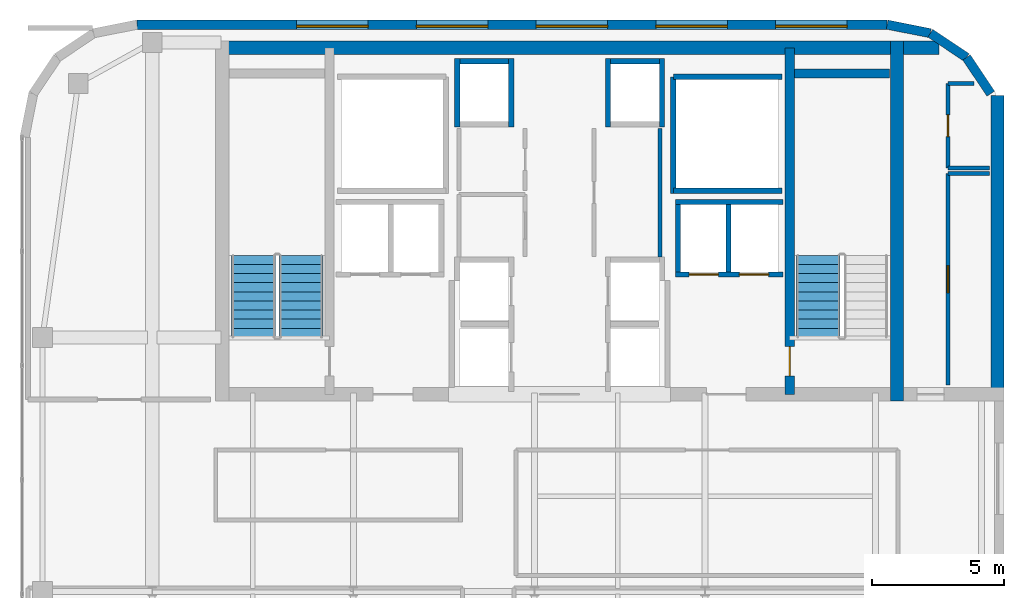
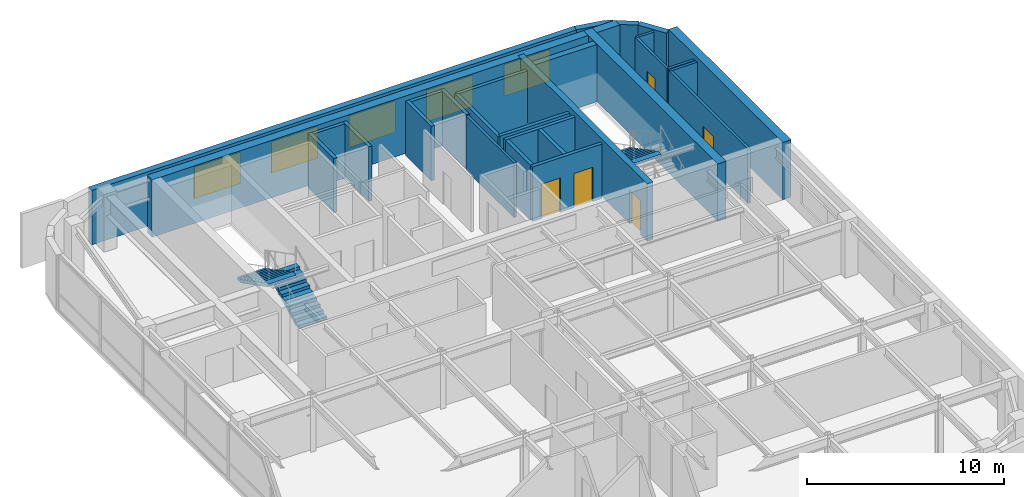
# One storey, part 17 of 19: 29 walls, 5 doors, 5 windows, 3 stair flights, 10 openings, 2 elements without a shape of their own.
"""IFC4 building model written with IfcOpenShell, lengths in metres."""

from ifc_helpers import new_model, si_unit, direction, frame, frame_2d, origin, place, context, subcontext, project, spatial, polyline, rectangle, outline, extrude, source, transform, mapped, material, layer, layer_set, type_object, type_shapes, element, fill, aggregate, save


model = new_model("IFC4")

# Units and contexts
model_context = context("Model", 3, precision=1e-05, world=origin(), true_north=direction((0.0, 1.0)))
body_context = subcontext(model_context, "Body", "Model", "MODEL_VIEW")
ifc_project = project(units=[si_unit("LENGTHUNIT", "METRE"), si_unit("AREAUNIT", "SQUARE_METRE"), si_unit("VOLUMEUNIT", "CUBIC_METRE"), si_unit("PLANEANGLEUNIT", "RADIAN"), si_unit("MASSUNIT", "GRAM", prefix="KILO")], contexts=[model_context])

# Site, building, storey
site_placement = place(None, origin())
site = spatial("IfcSite", under=ifc_project, at=site_placement, CompositionType="ELEMENT")
building_placement = place(site_placement, origin())
building = spatial("IfcBuilding", under=site, at=building_placement, Name="Tolvann Quenvar Hotel", CompositionType="ELEMENT")
storey_placement = place(building_placement, frame((0.0, 0.0, 223.89990234375)))
storey = spatial("IfcBuildingStorey", under=building, at=storey_placement, Name="L59", CompositionType="ELEMENT", Elevation=223.89990234375)

# Walls
ifc_material_1 = material(Name="Concrete N50 (50 MPa)", Category="concrete")
ifc_layer_1 = layer(ifc_material_1, 0.5)
ifc_layer_set_1 = layer_set([ifc_layer_1], Name="Concrete N50 (50 MPa)")
wall_type_1 = type_object("IfcWallType", Name="WALL_CORE_500", PredefinedType="SHEAR", material=ifc_layer_set_1)
wall_1_placement = place(storey_placement, frame((10.0, 44.949951171875, 0.0), z_axis=(0.0, 0.0, 1.0), x_axis=(1.0, 0.0, 0.0)))
element("IfcWall", 1, at=wall_1_placement, inside=storey, type_object=wall_type_1, Name="Rear Core N Shear Wall (L59)", PredefinedType="SHEAR", context=body_context, shape_type="SweptSolid", body=[
    extrude(rectangle(XDim=26.0, YDim=0.5, at=frame_2d((13.0, 0.0))), origin(), (0.0, 0.0, 1.0), 3.550048828125),
])
wall_2_placement = place(storey_placement, frame((35.75, 31.60009765625, 0.0), z_axis=(0.0, 0.0, 1.0), x_axis=(0.0, 1.0, 0.0)))
element("IfcWall", 2, at=wall_2_placement, inside=storey, type_object=wall_type_1, Name="Rear Core E Shear Wall (L59)", PredefinedType="SHEAR", context=body_context, shape_type="SweptSolid", body=[
    extrude(rectangle(XDim=13.599853515625, YDim=0.5, at=frame_2d((6.7998046875, 0.0))), origin(), (0.0, 0.0, 1.0), 3.550048828125),
])
wall_3_placement = place(storey_placement, frame((36.0, 44.949951171875, 0.0), z_axis=(0.0, 0.0, 1.0), x_axis=(1.0, 0.0, 0.0)))
element("IfcWall", 3, at=wall_3_placement, inside=storey, type_object=wall_type_1, Name="Core East Annex Shear Wall ANN-N (L59)", PredefinedType="SHEAR", context=body_context, shape_type="SweptSolid", body=[
    extrude(rectangle(XDim=1.35009765625, YDim=0.5, at=frame_2d((0.675048828125, 0.0))), origin(), (0.0, 0.0, 1.0), 3.550048828125),
])
wall_4_placement = place(storey_placement, frame((39.550048828125, 31.60009765625, 0.0), z_axis=(0.0, 0.0, 1.0), x_axis=(0.0, 1.0, 0.0)))
element("IfcWall", 4, at=wall_4_placement, inside=storey, type_object=wall_type_1, Name="Core East Annex Shear Wall ANN-E (L59)", PredefinedType="SHEAR", context=body_context, shape_type="SweptSolid", body=[
    extrude(rectangle(XDim=11.5498046875, YDim=0.5, at=frame_2d((5.77490234375, 0.0))), origin(), (0.0, 0.0, 1.0), 3.550048828125),
])

# Wall, opening, door
ifc_material_2 = material(Name="Concrete S65 (65 MPa)", Category="concrete")
ifc_layer_2 = layer(ifc_material_2, 0.35009765625)
ifc_layer_set_2 = layer_set([ifc_layer_2], Name="Concrete S65 (65 MPa)")
wall_type_2 = type_object("IfcWallType", Name="WALL_CORE_INT_350", PredefinedType="SHEAR", material=ifc_layer_set_2)
wall_5_placement = place(storey_placement, frame((31.699951171875, 31.85009765625, 0.0), z_axis=(0.0, 0.0, 1.0), x_axis=(0.0, 1.0, 0.0)))
wall_5 = element("IfcWall", 5, at=wall_5_placement, inside=storey, type_object=wall_type_2, Name="Core Internal Web Shear Wall WEB-E (L59)", PredefinedType="SHEAR", context=body_context, shape_type="SweptSolid", body=[
    extrude(rectangle(XDim=13.099853515625, YDim=0.35009765625, at=frame_2d((6.5498046875, 0.0))), origin(), (0.0, 0.0, 1.0), 3.550048828125),
])
opening_1_placement = place(wall_5_placement, frame((1.800048828125, 0.0, 0.0), z_axis=(0.0, 0.0, 1.0), x_axis=(-1.0, 0.0, 0.0)))
opening_1 = element("IfcOpeningElement", 6, at=opening_1_placement, cuts=wall_5, Name="Opening FD-120", PredefinedType="OPENING", context=body_context, shape_type="SweptSolid", body=[
    extrude(rectangle(XDim=1.10009765625, YDim=2.1201171875, at=frame_2d((0.550048828125, 1.06005859375))), frame((0.0, 0.18505859375, 0.0), z_axis=(0.0, -1.0, 0.0), x_axis=(1.0, 0.0, 0.0)), (0.0, 0.0, 1.0), 0.3701171875),
])
ifc_material_3 = material(Name="Pressed galvanised steel fire-rated door set", Category="steel")
door_type_1 = type_object("IfcDoorType", Name="DOOR_FIRE_STAIR_1100", OperationType="NOTDEFINED", PredefinedType="DOOR", material=ifc_material_3)
shared_shape_1 = source(origin(), body_context, "Body", "SweptSolid", [
    extrude(rectangle(XDim=1.10009765625, YDim=2.1201171875, at=frame_2d((0.550048828125, 1.06005859375))), frame((0.0, 0.02490234375, 0.0), z_axis=(0.0, -1.0, 0.0), x_axis=(1.0, 0.0, 0.0)), (0.0, 0.0, 1.0), 0.050048828125),
])
type_shapes(door_type_1, [shared_shape_1])
door_1_placement = place(opening_1_placement, origin())
door_1 = element("IfcDoor", 7, at=door_1_placement, inside=storey, type_object=door_type_1, Name="Exit Stair ST-C2 Fire Door (L59)", OperationType="SINGLE_SWING_LEFT", OverallHeight=2.1201171875, OverallWidth=1.10009765625, PredefinedType="DOOR", context=body_context, shape_type="MappedRepresentation", body=[
    mapped(shared_shape_1, transform((0.0, 0.0, 0.0), x_axis=(1.0, 0.0, 0.0), y_axis=(0.0, 1.0, 0.0), z_axis=(0.0, 0.0, 1.0), scale=1.0)),
])
fill(opening_1, door_1)

# Walls
wall_6_placement = place(storey_placement, frame((31.8798828125, 43.97509765625, 0.0), z_axis=(0.0, 0.0, 1.0), x_axis=(1.0, 0.0, 0.0)))
element("IfcWall", 8, at=wall_6_placement, inside=storey, type_object=wall_type_2, Name="Core Stair North Closing Shear Wall STC2-N (L59)", PredefinedType="SHEAR", context=body_context, shape_type="SweptSolid", body=[
    extrude(rectangle(XDim=3.60009765625, YDim=0.35009765625, at=frame_2d((1.800048828125, 0.0))), origin(), (0.0, 0.0, 1.0), 3.550048828125),
])
ifc_material_4 = material(Name="Kiln-fired red and buff architectural clay brickwork and terracotta masonry", Category="masonry")
ifc_layer_3 = layer(ifc_material_4, 0.35009765625)
ifc_layer_set_3 = layer_set([ifc_layer_3], Name="Kiln-fired red and buff architectural clay brickwork and terracotta masonry")
wall_type_3 = type_object("IfcWallType", Name="WALL_EXT_BRICK_350", PredefinedType="SOLIDWALL", material=ifc_layer_set_3)
for number, where, z_axis, x_axis, name in (
    (9, (39.30029296875, 43.215576171875, 0.0), (0.0, 0.0, 1.0), (-0.555623290322, 0.831434158098, 0.0), "Exterior Chicago Brick Wall L59-E11"),
    (10, (38.385009765625, 44.585205078125, 0.0), (0.0, 0.0, 1.0), (-0.831502623162, 0.555520825599, 0.0), "Exterior Chicago Brick Wall L59-E12"),
):
    element("IfcWall", number, at=place(storey_placement, frame(where, z_axis=z_axis, x_axis=x_axis)), inside=storey, type_object=wall_type_3, Name=name, PredefinedType="SOLIDWALL", context=body_context, shape_type="SweptSolid", body=[
        extrude(rectangle(XDim=1.647216796875, YDim=0.35009765625, at=frame_2d((0.82373046875, 0.0))), origin(), (0.0, 0.0, 1.0), 3.3701171875),
    ])
wall_7_placement = place(storey_placement, frame((37.015380859375, 45.500244140625, 0.0), z_axis=(0.0, 0.0, 1.0), x_axis=(-0.980788844421, 0.195072403631, 0.0)))
element("IfcWall", 11, at=wall_7_placement, inside=storey, type_object=wall_type_3, Name="Exterior Chicago Brick Wall L59-E13", PredefinedType="SOLIDWALL", context=body_context, shape_type="SweptSolid", body=[
    extrude(rectangle(XDim=1.66455078125, YDim=0.35009765625, at=frame_2d((0.832275390625, 0.0))), origin(), (0.0, 0.0, 1.0), 3.3701171875),
])

# Wall, openings, windows
wall_8_placement = place(storey_placement, frame((35.3828125, 45.824951171875, 0.0), z_axis=(0.0, 0.0, 1.0), x_axis=(-1.0, 0.0, 0.0)))
wall_8 = element("IfcWall", 12, at=wall_8_placement, inside=storey, type_object=wall_type_3, Name="Exterior Chicago Brick Wall L59-E14", PredefinedType="SOLIDWALL", context=body_context, shape_type="SweptSolid", body=[
    extrude(rectangle(XDim=28.36572265625, YDim=0.35009765625, at=frame_2d((14.182861328125, 0.0))), origin(), (0.0, 0.0, 1.0), 3.3701171875),
])
opening_2_placement = place(wall_8_placement, frame((1.513916015625, 0.0, 0.679931640625)))
opening_2 = element("IfcOpeningElement", 13, at=opening_2_placement, cuts=wall_8, Name="Opening W-04", PredefinedType="OPENING", context=body_context, shape_type="SweptSolid", body=[
    extrude(rectangle(XDim=2.699951171875, YDim=1.949951171875, at=frame_2d((1.35009765625, 0.97509765625))), frame((0.0, 0.18505859375, 0.0), z_axis=(0.0, -1.0, 0.0), x_axis=(1.0, 0.0, 0.0)), (0.0, 0.0, 1.0), 0.3701171875),
])
opening_3_placement = place(wall_8_placement, frame((6.041015625, 0.0, 0.679931640625)))
opening_3 = element("IfcOpeningElement", 14, at=opening_3_placement, cuts=wall_8, Name="Opening W-04", PredefinedType="OPENING", context=body_context, shape_type="SweptSolid", body=[
    extrude(rectangle(XDim=2.699951171875, YDim=1.949951171875, at=frame_2d((1.35009765625, 0.97509765625))), frame((0.0, 0.18505859375, 0.0), z_axis=(0.0, -1.0, 0.0), x_axis=(1.0, 0.0, 0.0)), (0.0, 0.0, 1.0), 0.3701171875),
])
opening_4_placement = place(wall_8_placement, frame((10.569091796875, 0.0, 0.679931640625)))
opening_4 = element("IfcOpeningElement", 15, at=opening_4_placement, cuts=wall_8, Name="Opening W-04", PredefinedType="OPENING", context=body_context, shape_type="SweptSolid", body=[
    extrude(rectangle(XDim=2.699951171875, YDim=1.949951171875, at=frame_2d((1.35009765625, 0.97509765625))), frame((0.0, 0.18505859375, 0.0), z_axis=(0.0, -1.0, 0.0), x_axis=(1.0, 0.0, 0.0)), (0.0, 0.0, 1.0), 0.3701171875),
])
opening_5_placement = place(wall_8_placement, frame((15.096923828125, 0.0, 0.679931640625)))
opening_5 = element("IfcOpeningElement", 16, at=opening_5_placement, cuts=wall_8, Name="Opening W-04", PredefinedType="OPENING", context=body_context, shape_type="SweptSolid", body=[
    extrude(rectangle(XDim=2.699951171875, YDim=1.949951171875, at=frame_2d((1.35009765625, 0.97509765625))), frame((0.0, 0.18505859375, 0.0), z_axis=(0.0, -1.0, 0.0), x_axis=(1.0, 0.0, 0.0)), (0.0, 0.0, 1.0), 0.3701171875),
])
opening_6_placement = place(wall_8_placement, frame((19.6240234375, 0.0, 0.679931640625)))
opening_6 = element("IfcOpeningElement", 17, at=opening_6_placement, cuts=wall_8, Name="Opening W-04", PredefinedType="OPENING", context=body_context, shape_type="SweptSolid", body=[
    extrude(rectangle(XDim=2.699951171875, YDim=1.949951171875, at=frame_2d((1.35009765625, 0.97509765625))), frame((0.0, 0.18505859375, 0.0), z_axis=(0.0, -1.0, 0.0), x_axis=(1.0, 0.0, 0.0)), (0.0, 0.0, 1.0), 0.3701171875),
])
ifc_material_5 = material(Name="Thermally broken bronze-anodised aluminium frame with double low-E glazing", Category="aluminium")
window_type = type_object("IfcWindowType", Name="WIN_STE_2700x2150", PartitioningType="TRIPLE_PANEL_HORIZONTAL", PredefinedType="WINDOW", material=ifc_material_5)
shared_shape_2 = source(origin(), body_context, "Body", "SweptSolid", [
    extrude(rectangle(XDim=2.699951171875, YDim=1.949951171875, at=frame_2d((1.35009765625, 0.97509765625))), frame((0.0, 0.090087890625, 0.0), z_axis=(0.0, -1.0, 0.0), x_axis=(1.0, 0.0, 0.0)), (0.0, 0.0, 1.0), 0.06005859375),
])
type_shapes(window_type, [shared_shape_2])
window_1_placement = place(opening_2_placement, origin())
window_1 = element("IfcWindow", 18, at=window_1_placement, inside=storey, type_object=window_type, Name="Chicago Window W-04 (EW-L59-E14-W01)", OverallHeight=1.949951171875, OverallWidth=2.699951171875, PartitioningType="TRIPLE_PANEL_HORIZONTAL", PredefinedType="WINDOW", context=body_context, shape_type="MappedRepresentation", body=[
    mapped(shared_shape_2, transform((0.0, 0.0, 0.0), x_axis=(1.0, 0.0, 0.0), y_axis=(0.0, 1.0, 0.0), z_axis=(0.0, 0.0, 1.0), scale=1.0)),
])
fill(opening_2, window_1)
window_2_placement = place(opening_3_placement, origin())
window_2 = element("IfcWindow", 19, at=window_2_placement, inside=storey, type_object=window_type, Name="Chicago Window W-04 (EW-L59-E14-W02)", OverallHeight=1.949951171875, OverallWidth=2.699951171875, PartitioningType="TRIPLE_PANEL_HORIZONTAL", PredefinedType="WINDOW", context=body_context, shape_type="MappedRepresentation", body=[
    mapped(shared_shape_2, transform((0.0, 0.0, 0.0), x_axis=(1.0, 0.0, 0.0), y_axis=(0.0, 1.0, 0.0), z_axis=(0.0, 0.0, 1.0), scale=1.0)),
])
fill(opening_3, window_2)
window_3_placement = place(opening_4_placement, origin())
window_3 = element("IfcWindow", 20, at=window_3_placement, inside=storey, type_object=window_type, Name="Chicago Window W-04 (EW-L59-E14-W03)", OverallHeight=1.949951171875, OverallWidth=2.699951171875, PartitioningType="TRIPLE_PANEL_HORIZONTAL", PredefinedType="WINDOW", context=body_context, shape_type="MappedRepresentation", body=[
    mapped(shared_shape_2, transform((0.0, 0.0, 0.0), x_axis=(1.0, 0.0, 0.0), y_axis=(0.0, 1.0, 0.0), z_axis=(0.0, 0.0, 1.0), scale=1.0)),
])
fill(opening_4, window_3)
window_4_placement = place(opening_5_placement, origin())
window_4 = element("IfcWindow", 21, at=window_4_placement, inside=storey, type_object=window_type, Name="Chicago Window W-04 (EW-L59-E14-W04)", OverallHeight=1.949951171875, OverallWidth=2.699951171875, PartitioningType="TRIPLE_PANEL_HORIZONTAL", PredefinedType="WINDOW", context=body_context, shape_type="MappedRepresentation", body=[
    mapped(shared_shape_2, transform((0.0, 0.0, 0.0), x_axis=(1.0, 0.0, 0.0), y_axis=(0.0, 1.0, 0.0), z_axis=(0.0, 0.0, 1.0), scale=1.0)),
])
fill(opening_5, window_4)
window_5_placement = place(opening_6_placement, origin())
window_5 = element("IfcWindow", 22, at=window_5_placement, inside=storey, type_object=window_type, Name="Chicago Window W-04 (EW-L59-E14-W05)", OverallHeight=1.949951171875, OverallWidth=2.699951171875, PartitioningType="TRIPLE_PANEL_HORIZONTAL", PredefinedType="WINDOW", context=body_context, shape_type="MappedRepresentation", body=[
    mapped(shared_shape_2, transform((0.0, 0.0, 0.0), x_axis=(1.0, 0.0, 0.0), y_axis=(0.0, 1.0, 0.0), z_axis=(0.0, 0.0, 1.0), scale=1.0)),
])
fill(opening_6, window_5)

# Walls
ifc_material_6 = material(Name="Acoustic twin-stud fire-rated gypsum plasterboard partition")
ifc_layer_4 = layer(ifc_material_6, 0.14990234375)
ifc_layer_set_4 = layer_set([ifc_layer_4], Name="Acoustic twin-stud fire-rated gypsum plasterboard partition")
wall_type_4 = type_object("IfcWallType", Name="WALL_PART_SUITE_150", PredefinedType="PARTITIONING", material=ifc_layer_set_4)
wall_9_placement = place(storey_placement, frame((26.800048828125, 37.0400390625, 0.0), z_axis=(0.0, 0.0, 1.0), x_axis=(0.0, 1.0, 0.0)))
element("IfcWall", 23, at=wall_9_placement, inside=storey, type_object=wall_type_4, Name="Interior Partition PT-SPC-L59-RECPM-3-E", PredefinedType="PARTITIONING", context=body_context, shape_type="SweptSolid", body=[
    extrude(rectangle(XDim=4.85986328125, YDim=0.14990234375, at=frame_2d((2.429931640625, 0.0))), origin(), (0.0, 0.0, 1.0), 3.3701171875),
])
wall_10_placement = place(storey_placement, frame((37.679931640625, 40.199951171875, 0.0), z_axis=(0.0, 0.0, 1.0), x_axis=(1.0, 0.0, 0.0)))
element("IfcWall", 24, at=wall_10_placement, inside=storey, type_object=wall_type_4, Name="Interior Partition PT-SPC-L59-RECPL-1-N", PredefinedType="PARTITIONING", context=body_context, shape_type="SweptSolid", body=[
    extrude(rectangle(XDim=1.565185546875, YDim=0.14990234375, at=frame_2d((0.78271484375, 0.0))), origin(), (0.0, 0.0, 1.0), 3.3701171875),
])

# Wall, opening, door
wall_11_placement = place(storey_placement, frame((37.679931640625, 32.199951171875, 0.0), z_axis=(0.0, 0.0, 1.0), x_axis=(0.0, 1.0, 0.0)))
wall_11 = element("IfcWall", 25, at=wall_11_placement, inside=storey, type_object=wall_type_4, Name="Interior Partition PT-SPC-L59-RECPL-1-W", PredefinedType="PARTITIONING", context=body_context, shape_type="SweptSolid", body=[
    extrude(rectangle(XDim=8.0, YDim=0.14990234375, at=frame_2d((4.0, 0.0))), origin(), (0.0, 0.0, 1.0), 3.3701171875),
])
opening_7_placement = place(wall_11_placement, frame((3.489990234375, 0.0, 0.0)))
opening_7 = element("IfcOpeningElement", 26, at=opening_7_placement, cuts=wall_11, Name="Opening HD-01", PredefinedType="OPENING", context=body_context, shape_type="SweptSolid", body=[
    extrude(rectangle(XDim=1.02001953125, YDim=2.030029296875, at=frame_2d((0.510009765625, 1.01513671875))), frame((0.0, 0.0849609375, 0.0), z_axis=(0.0, -1.0, 0.0), x_axis=(1.0, 0.0, 0.0)), (0.0, 0.0, 1.0), 0.169921875),
])
door_type_2 = type_object("IfcDoorType", Name="DOOR_BOH_1020", OperationType="NOTDEFINED", PredefinedType="DOOR", material=ifc_material_3)
shared_shape_3 = source(origin(), body_context, "Body", "SweptSolid", [
    extrude(rectangle(XDim=1.02001953125, YDim=2.030029296875, at=frame_2d((0.510009765625, 1.01513671875))), frame((0.0, 0.02490234375, 0.0), z_axis=(0.0, -1.0, 0.0), x_axis=(1.0, 0.0, 0.0)), (0.0, 0.0, 1.0), 0.050048828125),
])
type_shapes(door_type_2, [shared_shape_3])
door_2_placement = place(opening_7_placement, origin())
door_2 = element("IfcDoor", 27, at=door_2_placement, inside=storey, type_object=door_type_2, Name="Interior Door DOOR-SPC-L59-RECPL-1", OperationType="SINGLE_SWING_LEFT", OverallHeight=2.030029296875, OverallWidth=1.02001953125, PredefinedType="DOOR", context=body_context, shape_type="MappedRepresentation", body=[
    mapped(shared_shape_3, transform((0.0, 0.0, 0.0), x_axis=(1.0, 0.0, 0.0), y_axis=(0.0, 1.0, 0.0), z_axis=(0.0, 0.0, 1.0), scale=1.0)),
])
fill(opening_7, door_2)

# Walls
wall_12_placement = place(storey_placement, frame((37.679931640625, 40.39990234375, 0.0), z_axis=(0.0, 0.0, 1.0), x_axis=(1.0, 0.0, 0.0)))
element("IfcWall", 28, at=wall_12_placement, inside=storey, type_object=wall_type_4, Name="Interior Partition PT-SPC-L59-CSE-1-S", PredefinedType="PARTITIONING", context=body_context, shape_type="SweptSolid", body=[
    extrude(rectangle(XDim=1.565185546875, YDim=0.14990234375, at=frame_2d((0.78271484375, 0.0))), origin(), (0.0, 0.0, 1.0), 3.3701171875),
])
wall_13_placement = place(storey_placement, frame((37.679931640625, 43.60009765625, 0.0), z_axis=(0.0, 0.0, 1.0), x_axis=(1.0, 0.0, 0.0)))
element("IfcWall", 29, at=wall_13_placement, inside=storey, type_object=wall_type_4, Name="Interior Partition PT-SPC-L59-CSE-1-N", PredefinedType="PARTITIONING", context=body_context, shape_type="SweptSolid", body=[
    extrude(rectangle(XDim=0.988037109375, YDim=0.14990234375, at=frame_2d((0.494140625, 0.0))), origin(), (0.0, 0.0, 1.0), 3.3701171875),
])

# Wall, opening, door
wall_14_placement = place(storey_placement, frame((37.679931640625, 40.39990234375, 0.0), z_axis=(0.0, 0.0, 1.0), x_axis=(0.0, 1.0, 0.0)))
wall_14 = element("IfcWall", 30, at=wall_14_placement, inside=storey, type_object=wall_type_4, Name="Interior Partition PT-SPC-L59-CSE-1-W", PredefinedType="PARTITIONING", context=body_context, shape_type="SweptSolid", body=[
    extrude(rectangle(XDim=3.2001953125, YDim=0.14990234375, at=frame_2d((1.60009765625, 0.0))), origin(), (0.0, 0.0, 1.0), 3.3701171875),
])
opening_8_placement = place(wall_14_placement, frame((1.18994140625, 0.0, 0.0)))
opening_8 = element("IfcOpeningElement", 31, at=opening_8_placement, cuts=wall_14, Name="Opening HD-02", PredefinedType="OPENING", context=body_context, shape_type="SweptSolid", body=[
    extrude(rectangle(XDim=0.820068359375, YDim=2.010009765625, at=frame_2d((0.41015625, 1.0048828125))), frame((0.0, 0.0849609375, 0.0), z_axis=(0.0, -1.0, 0.0), x_axis=(1.0, 0.0, 0.0)), (0.0, 0.0, 1.0), 0.169921875),
])
door_type_3 = type_object("IfcDoorType", Name="DOOR_STORE_820", OperationType="NOTDEFINED", PredefinedType="DOOR", material=ifc_material_3)
shared_shape_4 = source(origin(), body_context, "Body", "SweptSolid", [
    extrude(rectangle(XDim=0.820068359375, YDim=2.010009765625, at=frame_2d((0.41015625, 1.0048828125))), frame((0.0, 0.02490234375, 0.0), z_axis=(0.0, -1.0, 0.0), x_axis=(1.0, 0.0, 0.0)), (0.0, 0.0, 1.0), 0.050048828125),
])
type_shapes(door_type_3, [shared_shape_4])
door_3_placement = place(opening_8_placement, origin())
door_3 = element("IfcDoor", 32, at=door_3_placement, inside=storey, type_object=door_type_3, Name="Interior Door DOOR-SPC-L59-CSE-1", OperationType="SINGLE_SWING_RIGHT", OverallHeight=2.010009765625, OverallWidth=0.820068359375, PredefinedType="DOOR", context=body_context, shape_type="MappedRepresentation", body=[
    mapped(shared_shape_4, transform((0.0, 0.0, 0.0), x_axis=(1.0, 0.0, 0.0), y_axis=(0.0, 1.0, 0.0), z_axis=(0.0, 0.0, 1.0), scale=1.0)),
])
fill(opening_8, door_3)

# Walls
ifc_material_7 = material(Name="Concrete N40 (40 MPa)", Category="concrete")
ifc_layer_5 = layer(ifc_material_7, 0.199951171875)
ifc_layer_set_5 = layer_set([ifc_layer_5], Name="Concrete N40 (40 MPa)")
wall_type_5 = type_object("IfcWallType", Name="WALL_SHAFT_200", PredefinedType="SOLIDWALL", material=ifc_layer_set_5)
wall_15_placement = place(storey_placement, frame((27.300048828125, 39.449951171875, 0.0), z_axis=(0.0, 0.0, 1.0), x_axis=(0.0, 1.0, 0.0)))
element("IfcWall", 33, at=wall_15_placement, inside=storey, type_object=wall_type_5, Name="Service Riser E Shaft Wall IN (L59)", PredefinedType="SOLIDWALL", context=body_context, shape_type="SweptSolid", body=[
    extrude(rectangle(XDim=4.400146484375, YDim=0.199951171875, at=frame_2d((2.2001953125, 0.0))), origin(), (0.0, 0.0, 1.0), 3.3701171875),
])
for number, where, z_axis, x_axis, name in (
    (34, (27.300048828125, 39.550048828125, 0.0), (0.0, 0.0, 1.0), (1.0, 0.0, 0.0), "Service Riser E Shaft Wall S (L59)"),
    (35, (27.300048828125, 43.85009765625, 0.0), (0.0, 0.0, 1.0), (1.0, 0.0, 0.0), "Service Riser E Shaft Wall N (L59)"),
):
    element("IfcWall", number, at=place(storey_placement, frame(where, z_axis=z_axis, x_axis=x_axis)), inside=storey, type_object=wall_type_5, Name=name, PredefinedType="SOLIDWALL", context=body_context, shape_type="SweptSolid", body=[
        extrude(rectangle(XDim=4.099853515625, YDim=0.199951171875, at=frame_2d((2.0498046875, 0.0))), origin(), (0.0, 0.0, 1.0), 3.3701171875),
    ])
for number, where, z_axis, x_axis, name in (
    (36, (21.169921875, 41.9599609375, 0.0), (0.0, 0.0, 1.0), (0.0, 1.0, 0.0), "Lift Bank E21.1C2 Hoistway Front Wall (L59)"),
    (37, (19.1298828125, 41.9599609375, 0.0), (0.0, 0.0, 1.0), (0.0, 1.0, 0.0), "Lift Bank E21.1C2 Hoistway Rear Wall (L59)"),
):
    element("IfcWall", number, at=place(storey_placement, frame(where, z_axis=z_axis, x_axis=x_axis)), inside=storey, type_object=wall_type_5, Name=name, PredefinedType="SOLIDWALL", context=body_context, shape_type="SweptSolid", body=[
        extrude(rectangle(XDim=2.580078125, YDim=0.199951171875, at=frame_2d((1.2900390625, 0.0))), origin(), (0.0, 0.0, 1.0), 3.3701171875),
    ])
wall_16_placement = place(storey_placement, frame((19.22998046875, 44.43994140625, 0.0), z_axis=(0.0, 0.0, 1.0), x_axis=(1.0, 0.0, 0.0)))
element("IfcWall", 38, at=wall_16_placement, inside=storey, type_object=wall_type_5, Name="Lift Bank E21.1C2 Hoistway Cheek Wall 2 (L59)", PredefinedType="SOLIDWALL", context=body_context, shape_type="SweptSolid", body=[
    extrude(rectangle(XDim=1.840087890625, YDim=0.199951171875, at=frame_2d((0.919921875, 0.0))), origin(), (0.0, 0.0, 1.0), 3.3701171875),
])

# Wall, openings, doors
wall_17_placement = place(storey_placement, frame((27.375, 36.3798828125, 0.0), z_axis=(0.0, 0.0, 1.0), x_axis=(1.0, 0.0, 0.0)))
wall_17 = element("IfcWall", 39, at=wall_17_placement, inside=storey, type_object=wall_type_5, Name="Lift Bank SEC1 Hoistway Front Wall (L59)", PredefinedType="SOLIDWALL", context=body_context, shape_type="SweptSolid", body=[
    extrude(rectangle(XDim=4.074951171875, YDim=0.199951171875, at=frame_2d((2.03759765625, 0.0))), origin(), (0.0, 0.0, 1.0), 3.3701171875),
])
opening_9_placement = place(wall_17_placement, frame((0.52490234375, 0.0, 0.0)))
opening_9 = element("IfcOpeningElement", 40, at=opening_9_placement, cuts=wall_17, Name="Opening LD-01", PredefinedType="OPENING", context=body_context, shape_type="SweptSolid", body=[
    extrude(rectangle(XDim=1.10009765625, YDim=2.1201171875, at=frame_2d((0.550048828125, 1.06005859375))), frame((0.0, 0.10986328125, 0.0), z_axis=(0.0, -1.0, 0.0), x_axis=(1.0, 0.0, 0.0)), (0.0, 0.0, 1.0), 0.219970703125),
])
opening_10_placement = place(wall_17_placement, frame((2.425048828125, 0.0, 0.0)))
opening_10 = element("IfcOpeningElement", 41, at=opening_10_placement, cuts=wall_17, Name="Opening LD-01", PredefinedType="OPENING", context=body_context, shape_type="SweptSolid", body=[
    extrude(rectangle(XDim=1.10009765625, YDim=2.1201171875, at=frame_2d((0.550048828125, 1.06005859375))), frame((0.0, 0.10986328125, 0.0), z_axis=(0.0, -1.0, 0.0), x_axis=(1.0, 0.0, 0.0)), (0.0, 0.0, 1.0), 0.219970703125),
])
ifc_material_8 = material(Name="Brushed 316 stainless steel automatic sliding lift landing door", Category="steel")
door_type_4 = type_object("IfcDoorType", Name="DOOR_LIFT_SLIDE_1100", OperationType="NOTDEFINED", PredefinedType="DOOR", material=ifc_material_8)
shared_shape_5 = source(origin(), body_context, "Body", "SweptSolid", [
    extrude(rectangle(XDim=1.10009765625, YDim=2.1201171875, at=frame_2d((0.550048828125, 1.06005859375))), frame((0.0, 0.02490234375, 0.0), z_axis=(0.0, -1.0, 0.0), x_axis=(1.0, 0.0, 0.0)), (0.0, 0.0, 1.0), 0.050048828125),
])
type_shapes(door_type_4, [shared_shape_5])
door_4_placement = place(opening_9_placement, origin())
door_4 = element("IfcDoor", 42, at=door_4_placement, inside=storey, type_object=door_type_4, Name="Lift SV-2 Sliding Landing Door (L59)", OperationType="SLIDING_TO_LEFT", OverallHeight=2.1201171875, OverallWidth=1.10009765625, PredefinedType="DOOR", context=body_context, shape_type="MappedRepresentation", body=[
    mapped(shared_shape_5, transform((0.0, 0.0, 0.0), x_axis=(1.0, 0.0, 0.0), y_axis=(0.0, 1.0, 0.0), z_axis=(0.0, 0.0, 1.0), scale=1.0)),
])
fill(opening_9, door_4)
door_5_placement = place(opening_10_placement, origin())
door_5 = element("IfcDoor", 43, at=door_5_placement, inside=storey, type_object=door_type_4, Name="Lift FF-2 Sliding Landing Door (L59)", OperationType="SLIDING_TO_RIGHT", OverallHeight=2.1201171875, OverallWidth=1.10009765625, PredefinedType="DOOR", context=body_context, shape_type="MappedRepresentation", body=[
    mapped(shared_shape_5, transform((0.0, 0.0, 0.0), x_axis=(1.0, 0.0, 0.0), y_axis=(0.0, 1.0, 0.0), z_axis=(0.0, 0.0, 1.0), scale=1.0)),
])
fill(opening_10, door_5)

# Walls
wall_18_placement = place(storey_placement, frame((27.375, 39.1201171875, 0.0), z_axis=(0.0, 0.0, 1.0), x_axis=(1.0, 0.0, 0.0)))
element("IfcWall", 44, at=wall_18_placement, inside=storey, type_object=wall_type_5, Name="Lift Bank SEC1 Hoistway Rear Wall (L59)", PredefinedType="SOLIDWALL", context=body_context, shape_type="SweptSolid", body=[
    extrude(rectangle(XDim=4.074951171875, YDim=0.199951171875, at=frame_2d((2.03759765625, 0.0))), origin(), (0.0, 0.0, 1.0), 3.3701171875),
])
for number, where, z_axis, x_axis, name in (
    (45, (27.47509765625, 36.47998046875, 0.0), (0.0, 0.0, 1.0), (0.0, 1.0, 0.0), "Lift Bank SEC1 Hoistway Cheek Wall 1 (L59)"),
    (46, (29.387451171875, 36.47998046875, 0.0), (0.0, 0.0, 1.0), (0.0, 1.0, 0.0), "Lift Bank SEC1 Divider Wall 1 (L59)"),
):
    element("IfcWall", number, at=place(storey_placement, frame(where, z_axis=z_axis, x_axis=x_axis)), inside=storey, type_object=wall_type_5, Name=name, PredefinedType="SOLIDWALL", context=body_context, shape_type="SweptSolid", body=[
        extrude(rectangle(XDim=2.5400390625, YDim=0.199951171875, at=frame_2d((1.27001953125, 0.0))), origin(), (0.0, 0.0, 1.0), 3.3701171875),
    ])
for number, where, z_axis, x_axis, name in (
    (47, (24.830078125, 41.9599609375, 0.0), (0.0, 0.0, 1.0), (0.0, 1.0, 0.0), "Lift Bank W24.9C2 Hoistway Front Wall (L59)"),
    (48, (26.8701171875, 41.9599609375, 0.0), (0.0, 0.0, 1.0), (0.0, 1.0, 0.0), "Lift Bank W24.9C2 Hoistway Rear Wall (L59)"),
):
    element("IfcWall", number, at=place(storey_placement, frame(where, z_axis=z_axis, x_axis=x_axis)), inside=storey, type_object=wall_type_5, Name=name, PredefinedType="SOLIDWALL", context=body_context, shape_type="SweptSolid", body=[
        extrude(rectangle(XDim=2.580078125, YDim=0.199951171875, at=frame_2d((1.2900390625, 0.0))), origin(), (0.0, 0.0, 1.0), 3.3701171875),
    ])
wall_19_placement = place(storey_placement, frame((24.929931640625, 44.43994140625, 0.0), z_axis=(0.0, 0.0, 1.0), x_axis=(1.0, 0.0, 0.0)))
element("IfcWall", 49, at=wall_19_placement, inside=storey, type_object=wall_type_5, Name="Lift Bank W24.9C2 Hoistway Cheek Wall 2 (L59)", PredefinedType="SOLIDWALL", context=body_context, shape_type="SweptSolid", body=[
    extrude(rectangle(XDim=1.840087890625, YDim=0.199951171875, at=frame_2d((0.919921875, 0.0))), origin(), (0.0, 0.0, 1.0), 3.3701171875),
])

# Stair, stair flights
stair_type = type_object("IfcStairType", Name="STAIR", PredefinedType="HALF_TURN_STAIR", material=ifc_material_7)
stair_1_placement = place(storey_placement, origin())
stair_1 = element("IfcStair", 50, at=stair_1_placement, inside=storey, type_object=stair_type, Name="L59 ST-C1", PredefinedType="HALF_TURN_STAIR")
stair_flight_type = type_object("IfcStairFlightType", Name="STAIR_FLIGHT", PredefinedType="STRAIGHT", material=ifc_material_7)
stair_flight_1_placement = place(storey_placement, frame((13.22509765625, 34.0, 0.0), z_axis=(0.0, 0.0, 1.0), x_axis=(0.0, 1.0, 0.0)))
stair_flight_1 = element("IfcStairFlight", 51, at=stair_flight_1_placement, type_object=stair_flight_type, Name="ST-C1 flight 1", NumberOfRisers=10, NumberOfTreads=9, PredefinedType="STRAIGHT", RiserHeight=0.1775, TreadLength=0.345, context=body_context, shape_type="SweptSolid", body=[
    extrude(outline(polyline([(0.0, 0.0), (0.0, 0.177490234375), (0.344970703125, 0.177490234375), (0.344970703125, 0.35498046875), (0.68994140625, 0.35498046875), (0.68994140625, 0.532470703125), (1.034912109375, 0.532470703125), (1.034912109375, 0.7099609375), (1.3798828125, 0.7099609375), (1.3798828125, 0.887451171875), (1.72509765625, 0.887451171875), (1.72509765625, 1.06494140625), (2.070068359375, 1.06494140625), (2.070068359375, 1.242431640625), (2.4150390625, 1.242431640625), (2.4150390625, 1.419921875), (2.760009765625, 1.419921875), (2.760009765625, 1.597412109375), (3.10498046875, 1.597412109375), (3.10498046875, 1.77490234375), (3.10498046875, 1.428955078125), (0.32763671875, 0.0), (0.0, 0.0)])), frame((0.0, 0.824951171875, 0.0), z_axis=(0.0, -1.0, 0.0), x_axis=(1.0, 0.0, 0.0)), (0.0, 0.0, 1.0), 1.64990234375),
])
stair_flight_2_placement = place(storey_placement, frame((11.425048828125, 37.10498046875, 1.775146484375), z_axis=(0.0, 0.0, 1.0), x_axis=(0.0, -1.0, 0.0)))
stair_flight_2 = element("IfcStairFlight", 52, at=stair_flight_2_placement, type_object=stair_flight_type, Name="ST-C1 flight 2", NumberOfRisers=10, NumberOfTreads=9, PredefinedType="STRAIGHT", RiserHeight=0.1775, TreadLength=0.345, context=body_context, shape_type="SweptSolid", body=[
    extrude(outline(polyline([(0.0, 0.0), (0.0, 0.177490234375), (0.344970703125, 0.177490234375), (0.344970703125, 0.35498046875), (0.68994140625, 0.35498046875), (0.68994140625, 0.532470703125), (1.034912109375, 0.532470703125), (1.034912109375, 0.7099609375), (1.3798828125, 0.7099609375), (1.3798828125, 0.887451171875), (1.72509765625, 0.887451171875), (1.72509765625, 1.06494140625), (2.070068359375, 1.06494140625), (2.070068359375, 1.242431640625), (2.4150390625, 1.242431640625), (2.4150390625, 1.419921875), (2.760009765625, 1.419921875), (2.760009765625, 1.597412109375), (3.10498046875, 1.597412109375), (3.10498046875, 1.77490234375), (3.10498046875, 1.428955078125), (0.32763671875, 0.0), (0.0, 0.0)])), frame((0.0, 0.824951171875, 0.0), z_axis=(0.0, -1.0, 0.0), x_axis=(1.0, 0.0, 0.0)), (0.0, 0.0, 1.0), 1.64990234375),
])
aggregate(stair_1, [stair_flight_1, stair_flight_2])

# Stair, stair flight
stair_2_placement = place(storey_placement, origin())
stair_2 = element("IfcStair", 53, at=stair_2_placement, inside=storey, type_object=stair_type, Name="L59 ST-C2", PredefinedType="HALF_TURN_STAIR")
stair_flight_3_placement = place(storey_placement, frame((32.77490234375, 37.10498046875, 1.775146484375), z_axis=(0.0, 0.0, 1.0), x_axis=(0.0, -1.0, 0.0)))
stair_flight_3 = element("IfcStairFlight", 54, at=stair_flight_3_placement, type_object=stair_flight_type, Name="ST-C2 flight 2", NumberOfRisers=10, NumberOfTreads=9, PredefinedType="STRAIGHT", RiserHeight=0.1775, TreadLength=0.345, context=body_context, shape_type="SweptSolid", body=[
    extrude(outline(polyline([(0.0, 0.0), (0.0, 0.177490234375), (0.344970703125, 0.177490234375), (0.344970703125, 0.35498046875), (0.68994140625, 0.35498046875), (0.68994140625, 0.532470703125), (1.034912109375, 0.532470703125), (1.034912109375, 0.7099609375), (1.3798828125, 0.7099609375), (1.3798828125, 0.887451171875), (1.72509765625, 0.887451171875), (1.72509765625, 1.06494140625), (2.070068359375, 1.06494140625), (2.070068359375, 1.242431640625), (2.4150390625, 1.242431640625), (2.4150390625, 1.419921875), (2.760009765625, 1.419921875), (2.760009765625, 1.597412109375), (3.10498046875, 1.597412109375), (3.10498046875, 1.77490234375), (3.10498046875, 1.428955078125), (0.32763671875, 0.0), (0.0, 0.0)])), frame((0.0, 0.824951171875, 0.0), z_axis=(0.0, -1.0, 0.0), x_axis=(1.0, 0.0, 0.0)), (0.0, 0.0, 1.0), 1.64990234375),
])
aggregate(stair_2, [stair_flight_3])

save(model, "model.ifc")
